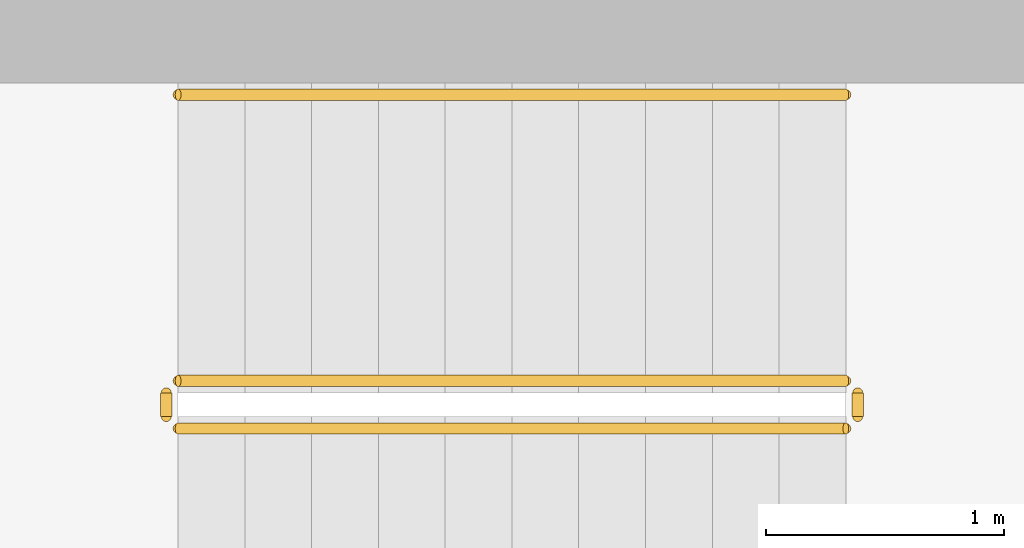
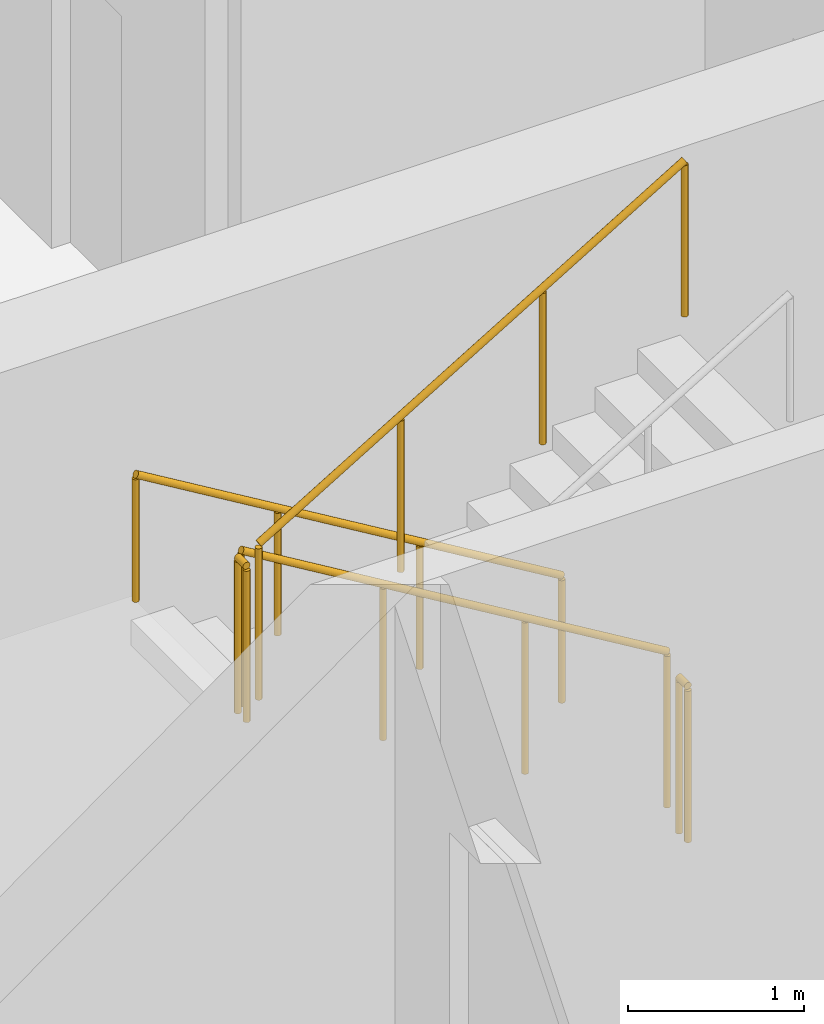
# One storey, part 18 of 23: 5 railings.
"""IFC4 building model written with IfcOpenShell, lengths in metres."""

from ifc_helpers import new_model, si_unit, direction, frame, origin, origin_2d, place, context, subcontext, project, spatial, circle, extrude, material, type_object, element, save


model = new_model("IFC4")

# Units and contexts
model_context = context("Model", 3, precision=1e-05, world=origin(), true_north=direction((0.0, 1.0)))
body_context = subcontext(model_context, "Body", "Model", "MODEL_VIEW")
ifc_project = project(units=[si_unit("LENGTHUNIT", "METRE"), si_unit("AREAUNIT", "SQUARE_METRE"), si_unit("VOLUMEUNIT", "CUBIC_METRE"), si_unit("PLANEANGLEUNIT", "RADIAN"), si_unit("MASSUNIT", "GRAM", prefix="KILO")], contexts=[model_context])

# Site, building, storey
site_placement = place(None, origin())
site = spatial("IfcSite", under=ifc_project, at=site_placement, CompositionType="ELEMENT")
building_placement = place(site_placement, origin())
building = spatial("IfcBuilding", under=site, at=building_placement, Name="Ogive Portal Towers", CompositionType="ELEMENT")
storey_placement = place(building_placement, frame((0.0, 0.0, 168.10009765625)))
storey = spatial("IfcBuildingStorey", under=building, at=storey_placement, Name="L41", CompositionType="ELEMENT", Elevation=168.10009765625)

# Railings
ifc_material_1 = material(Name="Stainless steel balustrade", Category="steel")
railing_type_1 = type_object("IfcRailingType", Name="INT-GUARD", PredefinedType="GUARDRAIL", material=ifc_material_1)
railing_1_placement = place(storey_placement, frame((37.449951171875, 37.800048828125, 0.16796875)))
element("IfcRailing", 1, at=railing_1_placement, inside=storey, type_object=railing_type_1, Name="L41 ST-A1 stair guard 1", PredefinedType="GUARDRAIL", context=body_context, shape_type="SweptSolid", body=[
    extrude(circle(Radius=0.02392578125, at=origin_2d()), frame((0.0, 0.0, 1.076171875), z_axis=(-0.857242210791, 0.0, 0.514913383045), x_axis=(0.0, -1.0, 0.0)), (0.0, 0.0, 1.0), 3.266357421875),
    extrude(circle(Radius=0.02099609375, at=origin_2d()), origin(), (0.0, 0.0, 1.0), 1.052001953125),
    extrude(circle(Radius=0.02099609375, at=origin_2d()), frame((-0.933349609375, 0.0, 0.560546875)), (0.0, 0.0, 1.0), 1.052001953125),
    extrude(circle(Radius=0.02099609375, at=origin_2d()), frame((-1.86669921875, 0.0, 1.121337890625)), (0.0, 0.0, 1.0), 1.052001953125),
    extrude(circle(Radius=0.02099609375, at=origin_2d()), frame((-2.800048828125, 0.0, 1.681884765625)), (0.0, 0.0, 1.0), 1.052001953125),
])
railing_2_placement = place(storey_placement, frame((34.60009765625, 37.75, 1.849853515625)))
element("IfcRailing", 2, at=railing_2_placement, inside=storey, type_object=railing_type_1, Name="L41 ST-A1 stair guard 2", PredefinedType="GUARDRAIL", context=body_context, shape_type="SweptSolid", body=[
    extrude(circle(Radius=0.02392578125, at=origin_2d()), frame((0.0, 0.0, 1.076171875), z_axis=(0.0, -1.0, 0.0), x_axis=(1.0, 0.0, 0.0)), (0.0, 0.0, 1.0), 0.10009765625),
    extrude(circle(Radius=0.02099609375, at=origin_2d()), origin(), (0.0, 0.0, 1.0), 1.052001953125),
    extrude(circle(Radius=0.02099609375, at=origin_2d()), frame((0.0, -0.10009765625, 0.0)), (0.0, 0.0, 1.0), 1.052001953125),
])
railing_3_placement = place(storey_placement, frame((34.64990234375, 37.60009765625, 2.01806640625)))
element("IfcRailing", 3, at=railing_3_placement, inside=storey, type_object=railing_type_1, Name="L41 ST-A1 stair guard 3", PredefinedType="GUARDRAIL", context=body_context, shape_type="SweptSolid", body=[
    extrude(circle(Radius=0.02392578125, at=origin_2d()), frame((0.0, 0.0, 1.076171875), z_axis=(0.857242210791, 0.0, 0.514913383045), x_axis=(0.0, 1.0, 0.0)), (0.0, 0.0, 1.0), 3.266357421875),
    extrude(circle(Radius=0.02099609375, at=origin_2d()), origin(), (0.0, 0.0, 1.0), 1.052001953125),
    extrude(circle(Radius=0.02099609375, at=origin_2d()), frame((0.933349609375, 0.0, 0.560546875)), (0.0, 0.0, 1.0), 1.052001953125),
    extrude(circle(Radius=0.02099609375, at=origin_2d()), frame((1.86669921875, 0.0, 1.121337890625)), (0.0, 0.0, 1.0), 1.052001953125),
    extrude(circle(Radius=0.02099609375, at=origin_2d()), frame((2.800048828125, 0.0, 1.681884765625)), (0.0, 0.0, 1.0), 1.052001953125),
])
railing_4_placement = place(storey_placement, frame((37.5, 37.75, 0.0)))
element("IfcRailing", 4, at=railing_4_placement, inside=storey, type_object=railing_type_1, Name="L41 ST-A1 stair guard 4", PredefinedType="GUARDRAIL", context=body_context, shape_type="SweptSolid", body=[
    extrude(circle(Radius=0.02392578125, at=origin_2d()), frame((0.0, 0.0, 1.076171875), z_axis=(0.0, -1.0, 0.0), x_axis=(1.0, 0.0, 0.0)), (0.0, 0.0, 1.0), 0.10009765625),
    extrude(circle(Radius=0.02099609375, at=origin_2d()), origin(), (0.0, 0.0, 1.0), 1.052001953125),
    extrude(circle(Radius=0.02099609375, at=origin_2d()), frame((0.0, -0.10009765625, 0.0)), (0.0, 0.0, 1.0), 1.052001953125),
])
ifc_material_2 = material(Name="Stainless steel handrail", Category="steel")
railing_type_2 = type_object("IfcRailingType", Name="INT-HANDRAIL", PredefinedType="HANDRAIL", material=ifc_material_2)
railing_5_placement = place(storey_placement, frame((37.449951171875, 39.0, 0.16796875)))
element("IfcRailing", 5, at=railing_5_placement, inside=storey, type_object=railing_type_2, Name="L41 ST-A1 stair handrail 1", PredefinedType="HANDRAIL", context=body_context, shape_type="SweptSolid", body=[
    extrude(circle(Radius=0.02392578125, at=origin_2d()), frame((0.0, 0.0, 0.8759765625), z_axis=(-0.857242210791, 0.0, 0.514913383045), x_axis=(0.0, -1.0, 0.0)), (0.0, 0.0, 1.0), 3.266357421875),
    extrude(circle(Radius=0.02099609375, at=origin_2d()), origin(), (0.0, 0.0, 1.0), 0.851806640625),
    extrude(circle(Radius=0.02099609375, at=origin_2d()), frame((-0.933349609375, 0.0, 0.560546875)), (0.0, 0.0, 1.0), 0.851806640625),
    extrude(circle(Radius=0.02099609375, at=origin_2d()), frame((-1.86669921875, 0.0, 1.121337890625)), (0.0, 0.0, 1.0), 0.851806640625),
    extrude(circle(Radius=0.02099609375, at=origin_2d()), frame((-2.800048828125, 0.0, 1.681884765625)), (0.0, 0.0, 1.0), 0.851806640625),
])

save(model, "model.ifc")
